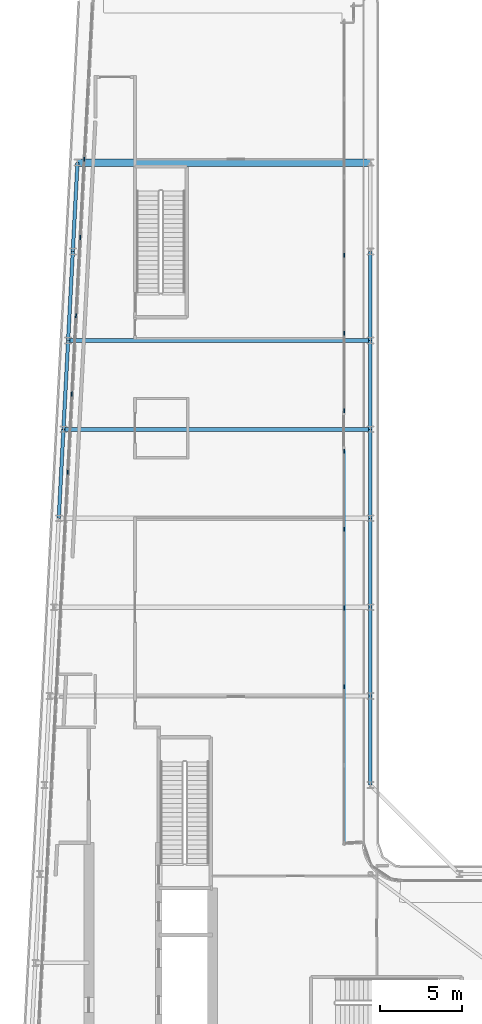
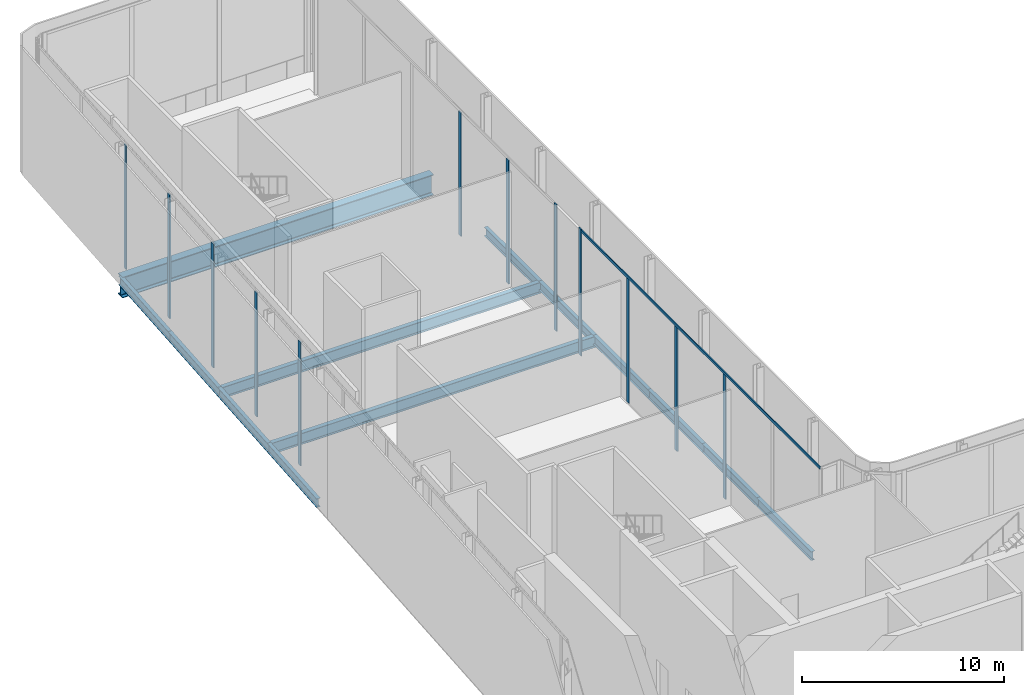
# One storey, part 11 of 27: 13 beams, 13 members, 3 elements without a shape of their own.
"""IFC4 building model written with IfcOpenShell, lengths in metres."""

from ifc_helpers import new_model, si_unit, direction, frame, origin, origin_2d, place, context, subcontext, project, spatial, rectangle, i_section, extrude, material, layer, layer_set, material_profile, profile_set, type_object, element, aggregate, save


model = new_model("IFC4")

# Units and contexts
model_context = context("Model", 3, precision=1e-05, world=origin(), true_north=direction((0.0, 1.0)))
body_context = subcontext(model_context, "Body", "Model", "MODEL_VIEW")
ifc_project = project(units=[si_unit("LENGTHUNIT", "METRE"), si_unit("AREAUNIT", "SQUARE_METRE"), si_unit("VOLUMEUNIT", "CUBIC_METRE"), si_unit("PLANEANGLEUNIT", "RADIAN"), si_unit("MASSUNIT", "GRAM", prefix="KILO")], contexts=[model_context])

# Site, building, storey
site_placement = place(None, origin())
site = spatial("IfcSite", under=ifc_project, at=site_placement, CompositionType="ELEMENT")
building_placement = place(site_placement, origin())
building = spatial("IfcBuilding", under=site, at=building_placement, Name="Kheshtan School and Residences Tower", CompositionType="ELEMENT")
storey_placement = place(building_placement, frame((0.0, 0.0, 266.89990234375)))
storey = spatial("IfcBuildingStorey", under=building, at=storey_placement, Name="L63", CompositionType="ELEMENT", Elevation=266.89990234375)

# Beams
ifc_material_1 = material(Name="Steel ASTM A992 Grade 50", Category="steel")
ifc_material_profile_1 = material_profile(ifc_material_1, i_section(OverallWidth=0.2529296875, OverallDepth=0.677978515625, WebThickness=0.01171875, FlangeThickness=0.016357421875, FilletRadius=0.0146484375, at=origin_2d()), Name="W690x125")
ifc_profile_set_1 = profile_set([ifc_material_profile_1], Name="Steel ASTM A992 Grade 50")
beam_type_1 = type_object("IfcBeamType", Name="Beam FB6 W690x125 ASTM A992 Grade 50", PredefinedType="BEAM", material=ifc_profile_set_1)
beam_1_placement = place(storey_placement, frame((47.60009765625, 78.0, -0.489013671875), z_axis=(-1.0, 0.0, 0.0), x_axis=(0.0, -1.0, 0.0)))
element("IfcBeam", 1, at=beam_1_placement, inside=storey, type_object=beam_type_1, Name="Floor beam C089", PredefinedType="BEAM", context=body_context, shape_type="SweptSolid", body=[
    extrude(i_section(OverallWidth=0.2529296875, OverallDepth=0.677978515625, WebThickness=0.01171875, FlangeThickness=0.016357421875, FilletRadius=0.0146484375, at=origin_2d()), origin(), (0.0, 0.0, 1.0), 18.357177734375),
])
beam_2_placement = place(storey_placement, frame((28.9580078125, 72.60009765625, -0.489013671875), z_axis=(1.0, 0.0, 0.0), x_axis=(0.0, 1.0, 0.0)))
element("IfcBeam", 2, at=beam_2_placement, inside=storey, type_object=beam_type_1, Name="Floor beam C086", PredefinedType="BEAM", context=body_context, shape_type="SweptSolid", body=[
    extrude(i_section(OverallWidth=0.2529296875, OverallDepth=0.677978515625, WebThickness=0.01171875, FlangeThickness=0.016357421875, FilletRadius=0.0146484375, at=origin_2d()), origin(), (0.0, 0.0, 1.0), 18.64208984375),
])
ifc_material_profile_2 = material_profile(ifc_material_1, i_section(OverallWidth=0.208984375, OverallDepth=0.532958984375, WebThickness=0.01025390625, FlangeThickness=0.015625, FilletRadius=0.013916015625, at=origin_2d()), Name="W530x92")
ifc_profile_set_2 = profile_set([ifc_material_profile_2], Name="Steel ASTM A992 Grade 50")
beam_type_2 = type_object("IfcBeamType", Name="Beam SP3 W530x92 ASTM A992 Grade 50", PredefinedType="BEAM", material=ifc_profile_set_2)
for number, where, z_axis, x_axis, name in (
    (3, (47.60009765625, 83.39990234375, -0.41650390625), (0.0, -1.0, 0.0), (1.0, 0.0, 0.0), "Spandrel beam C091-C089"),
    (4, (47.60009765625, 78.0, -0.41650390625), (0.0, -1.0, 0.0), (1.0, 0.0, 0.0), "Spandrel beam C089-C087"),
):
    element("IfcBeam", number, at=place(storey_placement, frame(where, z_axis=z_axis, x_axis=x_axis)), inside=storey, type_object=beam_type_2, Name=name, PredefinedType="BEAM", context=body_context, shape_type="SweptSolid", body=[
        extrude(i_section(OverallWidth=0.208984375, OverallDepth=0.532958984375, WebThickness=0.01025390625, FlangeThickness=0.015625, FilletRadius=0.013916015625, at=origin_2d()), origin(), (0.0, 0.0, 1.0), 5.39990234375),
    ])
beam_3_placement = place(storey_placement, frame((47.60009765625, 72.60009765625, -0.41650390625), z_axis=(0.0, -1.0, 0.0), x_axis=(1.0, 0.0, 0.0)))
element("IfcBeam", 5, at=beam_3_placement, inside=storey, type_object=beam_type_2, Name="Spandrel beam C087-C085", PredefinedType="BEAM", context=body_context, shape_type="SweptSolid", body=[
    extrude(i_section(OverallWidth=0.208984375, OverallDepth=0.532958984375, WebThickness=0.01025390625, FlangeThickness=0.015625, FilletRadius=0.013916015625, at=origin_2d()), origin(), (0.0, 0.0, 1.0), 5.400146484375),
])
beam_4_placement = place(storey_placement, frame((47.60009765625, 67.199951171875, -0.41650390625), z_axis=(0.0, -1.0, 0.0), x_axis=(1.0, 0.0, 0.0)))
element("IfcBeam", 6, at=beam_4_placement, inside=storey, type_object=beam_type_2, Name="Spandrel beam C085-C083", PredefinedType="BEAM", context=body_context, shape_type="SweptSolid", body=[
    extrude(i_section(OverallWidth=0.208984375, OverallDepth=0.532958984375, WebThickness=0.01025390625, FlangeThickness=0.015625, FilletRadius=0.013916015625, at=origin_2d()), origin(), (0.0, 0.0, 1.0), 5.39990234375),
])
beam_5_placement = place(storey_placement, frame((47.60009765625, 61.800048828125, -0.41650390625), z_axis=(0.0, -1.0, 0.0), x_axis=(1.0, 0.0, 0.0)))
element("IfcBeam", 7, at=beam_5_placement, inside=storey, type_object=beam_type_2, Name="Spandrel beam C083-C081", PredefinedType="BEAM", context=body_context, shape_type="SweptSolid", body=[
    extrude(i_section(OverallWidth=0.208984375, OverallDepth=0.532958984375, WebThickness=0.01025390625, FlangeThickness=0.015625, FilletRadius=0.013916015625, at=origin_2d()), origin(), (0.0, 0.0, 1.0), 5.400146484375),
])
beam_6_placement = place(storey_placement, frame((47.60009765625, 56.39990234375, -0.41650390625), z_axis=(0.0, -1.0, 0.0), x_axis=(1.0, 0.0, 0.0)))
element("IfcBeam", 8, at=beam_6_placement, inside=storey, type_object=beam_type_2, Name="Spandrel beam C081-C079", PredefinedType="BEAM", context=body_context, shape_type="SweptSolid", body=[
    extrude(i_section(OverallWidth=0.208984375, OverallDepth=0.532958984375, WebThickness=0.01025390625, FlangeThickness=0.015625, FilletRadius=0.013916015625, at=origin_2d()), origin(), (0.0, 0.0, 1.0), 5.39990234375),
])
beam_7_placement = place(storey_placement, frame((28.674072265625, 67.199951171875, -0.41650390625), z_axis=(0.05250670125, 0.998620571751, 0.0), x_axis=(-0.998620571751, 0.05250670125, 0.0)))
element("IfcBeam", 9, at=beam_7_placement, inside=storey, type_object=beam_type_2, Name="Spandrel beam C084-C086", PredefinedType="BEAM", context=body_context, shape_type="SweptSolid", body=[
    extrude(i_section(OverallWidth=0.208984375, OverallDepth=0.532958984375, WebThickness=0.01025390625, FlangeThickness=0.015625, FilletRadius=0.013916015625, at=origin_2d()), origin(), (0.0, 0.0, 1.0), 5.40771484375),
])
for number, where, z_axis, x_axis, name in (
    (10, (28.9580078125, 72.60009765625, -0.41650390625), (0.052689166816, 0.998610961136, 0.0), (-0.998610961136, 0.052689166816, 0.0), "Spandrel beam C086-C088"),
    (11, (29.242919921875, 78.0, -0.41650390625), (0.052554093665, 0.998618078766, 0.0), (-0.998618078766, 0.052554093665, 0.0), "Spandrel beam C088-C090"),
):
    element("IfcBeam", number, at=place(storey_placement, frame(where, z_axis=z_axis, x_axis=x_axis)), inside=storey, type_object=beam_type_2, Name=name, PredefinedType="BEAM", context=body_context, shape_type="SweptSolid", body=[
        extrude(i_section(OverallWidth=0.208984375, OverallDepth=0.532958984375, WebThickness=0.01025390625, FlangeThickness=0.015625, FilletRadius=0.013916015625, at=origin_2d()), origin(), (0.0, 0.0, 1.0), 5.407470703125),
    ])
beam_8_placement = place(storey_placement, frame((29.527099609375, 83.39990234375, -0.41650390625), z_axis=(0.05250670125, 0.998620571751, 0.0), x_axis=(-0.998620571751, 0.05250670125, 0.0)))
element("IfcBeam", 12, at=beam_8_placement, inside=storey, type_object=beam_type_2, Name="Spandrel beam C090-C098", PredefinedType="BEAM", context=body_context, shape_type="SweptSolid", body=[
    extrude(i_section(OverallWidth=0.208984375, OverallDepth=0.532958984375, WebThickness=0.01025390625, FlangeThickness=0.015625, FilletRadius=0.013916015625, at=origin_2d()), origin(), (0.0, 0.0, 1.0), 5.40771484375),
])

# Curtain wall, members
ifc_material_2 = material(Name="Clear low-e glass in thermally broken aluminium frame", Category="aluminium")
ifc_layer_1 = layer(ifc_material_2, 0.25)
ifc_layer_set_1 = layer_set([ifc_layer_1], Name="Curtain wall CW-G")
curtain_wall_type_1 = type_object("IfcCurtainWallType", Name="Curtain wall CW-G", PredefinedType="NOTDEFINED", material=ifc_layer_set_1)
curtain_wall_1_placement = place(storey_placement, origin())
curtain_wall_1 = element("IfcCurtainWall", 13, at=curtain_wall_1_placement, inside=storey, type_object=curtain_wall_type_1, Name="Curtain wall CWG19b", PredefinedType="NOTDEFINED")
ifc_material_3 = material(Name="Thermally broken aluminium, dark bronze anodised", Category="aluminium")
ifc_material_profile_3 = material_profile(ifc_material_3, rectangle(XDim=0.06005859375, YDim=0.25, at=origin_2d()), Name="CW-G mullion 60x250")
ifc_profile_set_3 = profile_set([ifc_material_profile_3], Name="Thermally broken aluminium, dark bronze anodised")
member_type_1 = type_object("IfcMemberType", Name="CW-G mullion 60x250", PredefinedType="MULLION", material=ifc_profile_set_3)
member_1_placement = place(storey_placement, frame((46.0, 83.179931640625, 0.0), z_axis=(0.0, 0.0, 1.0), x_axis=(1.0, 0.0, 0.0)))
member_1 = element("IfcMember", 14, at=member_1_placement, type_object=member_type_1, Name="CWG19b mullion 4", PredefinedType="MULLION", context=body_context, shape_type="SweptSolid", body=[
    extrude(rectangle(XDim=0.06005859375, YDim=0.25, at=origin_2d()), origin(), (0.0, 0.0, 1.0), 7.489990234375),
])
member_2_placement = place(storey_placement, frame((46.0, 78.43994140625, 0.0), z_axis=(0.0, 0.0, 1.0), x_axis=(1.0, 0.0, 0.0)))
member_2 = element("IfcMember", 15, at=member_2_placement, type_object=member_type_1, Name="CWG19b mullion 5", PredefinedType="MULLION", context=body_context, shape_type="SweptSolid", body=[
    extrude(rectangle(XDim=0.06005859375, YDim=0.25, at=origin_2d()), origin(), (0.0, 0.0, 1.0), 7.489990234375),
])
member_3_placement = place(storey_placement, frame((46.0, 73.72998046875, 0.0), z_axis=(0.0, 0.0, 1.0), x_axis=(1.0, 0.0, 0.0)))
member_3 = element("IfcMember", 16, at=member_3_placement, type_object=member_type_1, Name="CWG19b mullion 6", PredefinedType="MULLION", context=body_context, shape_type="SweptSolid", body=[
    extrude(rectangle(XDim=0.06005859375, YDim=0.25, at=origin_2d()), origin(), (0.0, 0.0, 1.0), 7.650146484375),
])
aggregate(curtain_wall_1, [member_1, member_2, member_3])

curtain_wall_2_placement = place(storey_placement, origin())
curtain_wall_2 = element("IfcCurtainWall", 17, at=curtain_wall_2_placement, inside=storey, type_object=curtain_wall_type_1, Name="Curtain wall CWG19c", PredefinedType="NOTDEFINED")
member_4_placement = place(storey_placement, frame((46.0, 71.27001953125, 0.0), z_axis=(0.0, 0.0, 1.0), x_axis=(1.0, 0.0, 0.0)))
member_4 = element("IfcMember", 18, at=member_4_placement, type_object=member_type_1, Name="CWG19c mullion 1", PredefinedType="MULLION", context=body_context, shape_type="SweptSolid", body=[
    extrude(rectangle(XDim=0.06005859375, YDim=0.25, at=origin_2d()), origin(), (0.0, 0.0, 1.0), 7.650146484375),
])
member_5_placement = place(storey_placement, frame((46.0, 66.52587890625, 0.0), z_axis=(0.0, 0.0, 1.0), x_axis=(1.0, 0.0, 0.0)))
member_5 = element("IfcMember", 19, at=member_5_placement, type_object=member_type_1, Name="CWG19c mullion 2", PredefinedType="MULLION", context=body_context, shape_type="SweptSolid", body=[
    extrude(rectangle(XDim=0.06005859375, YDim=0.25, at=origin_2d()), origin(), (0.0, 0.0, 1.0), 7.489990234375),
])
member_6_placement = place(storey_placement, frame((46.0, 61.751953125, 0.0), z_axis=(0.0, 0.0, 1.0), x_axis=(1.0, 0.0, 0.0)))
member_6 = element("IfcMember", 20, at=member_6_placement, type_object=member_type_1, Name="CWG19c mullion 3", PredefinedType="MULLION", context=body_context, shape_type="SweptSolid", body=[
    extrude(rectangle(XDim=0.06005859375, YDim=0.25, at=origin_2d()), origin(), (0.0, 0.0, 1.0), 7.489990234375),
])
member_7_placement = place(storey_placement, frame((46.0, 56.97802734375, 0.0), z_axis=(0.0, 0.0, 1.0), x_axis=(1.0, 0.0, 0.0)))
member_7 = element("IfcMember", 21, at=member_7_placement, type_object=member_type_1, Name="CWG19c mullion 4", PredefinedType="MULLION", context=body_context, shape_type="SweptSolid", body=[
    extrude(rectangle(XDim=0.06005859375, YDim=0.25, at=origin_2d()), origin(), (0.0, 0.0, 1.0), 7.489990234375),
])
ifc_material_profile_4 = material_profile(ifc_material_3, rectangle(XDim=0.06005859375, YDim=0.159912109375, at=origin_2d()), Name="CW-G transom 60x160")
ifc_profile_set_4 = profile_set([ifc_material_profile_4], Name="Thermally broken aluminium, dark bronze anodised")
member_type_2 = type_object("IfcMemberType", Name="CW-G transom 60x160", PredefinedType="USERDEFINED", material=ifc_profile_set_4)
member_8_placement = place(storey_placement, frame((46.0, 71.239990234375, 7.570068359375), z_axis=(0.0, -1.0, 0.0), x_axis=(1.0, 0.0, 0.0)))
member_8 = element("IfcMember", 22, at=member_8_placement, type_object=member_type_2, Name="CWG19c transom 1", ObjectType="TRANSOM", PredefinedType="USERDEFINED", context=body_context, shape_type="SweptSolid", body=[
    extrude(rectangle(XDim=0.06005859375, YDim=0.159912109375, at=origin_2d()), origin(), (0.0, 0.0, 1.0), 23.75),
])
aggregate(curtain_wall_2, [member_4, member_5, member_6, member_7, member_8])

ifc_layer_2 = layer(ifc_material_2, 0.25)
ifc_layer_set_2 = layer_set([ifc_layer_2], Name="Curtain wall CW-K")
curtain_wall_type_2 = type_object("IfcCurtainWallType", Name="Curtain wall CW-K", PredefinedType="NOTDEFINED", material=ifc_layer_set_2)
curtain_wall_3_placement = place(storey_placement, origin())
curtain_wall_3 = element("IfcCurtainWall", 23, at=curtain_wall_3_placement, inside=storey, type_object=curtain_wall_type_2, Name="Curtain wall CWK10a", PredefinedType="NOTDEFINED")
ifc_material_profile_5 = material_profile(ifc_material_3, rectangle(XDim=0.06005859375, YDim=0.25, at=origin_2d()), Name="CW-K mullion 60x250")
ifc_profile_set_5 = profile_set([ifc_material_profile_5], Name="Thermally broken aluminium, dark bronze anodised")
member_type_3 = type_object("IfcMemberType", Name="CW-K mullion 60x250", PredefinedType="MULLION", material=ifc_profile_set_5)
member_9_placement = place(storey_placement, frame((29.22119140625, 69.993408203125, 0.0), z_axis=(0.0, 0.0, 1.0), x_axis=(-0.998617497599, 0.05256513568, 0.0)))
member_9 = element("IfcMember", 24, at=member_9_placement, type_object=member_type_3, Name="CWK10a mullion 9", PredefinedType="MULLION", context=body_context, shape_type="SweptSolid", body=[
    extrude(rectangle(XDim=0.06005859375, YDim=0.25, at=origin_2d()), origin(), (0.0, 0.0, 1.0), 7.489990234375),
])
member_10_placement = place(storey_placement, frame((29.471435546875, 74.74560546875, 0.0), z_axis=(0.0, 0.0, 1.0), x_axis=(-0.998617497599, 0.05256513568, 0.0)))
member_10 = element("IfcMember", 25, at=member_10_placement, type_object=member_type_3, Name="CWK10a mullion 10", PredefinedType="MULLION", context=body_context, shape_type="SweptSolid", body=[
    extrude(rectangle(XDim=0.06005859375, YDim=0.25, at=origin_2d()), origin(), (0.0, 0.0, 1.0), 7.489990234375),
])
member_11_placement = place(storey_placement, frame((29.7216796875, 79.497802734375, 0.0), z_axis=(0.0, 0.0, 1.0), x_axis=(-0.998617497599, 0.05256513568, 0.0)))
member_11 = element("IfcMember", 26, at=member_11_placement, type_object=member_type_3, Name="CWK10a mullion 11", PredefinedType="MULLION", context=body_context, shape_type="SweptSolid", body=[
    extrude(rectangle(XDim=0.06005859375, YDim=0.25, at=origin_2d()), origin(), (0.0, 0.0, 1.0), 7.489990234375),
])
member_12_placement = place(storey_placement, frame((29.9716796875, 84.249755859375, 0.0), z_axis=(0.0, 0.0, 1.0), x_axis=(-0.998617497599, 0.05256513568, 0.0)))
member_12 = element("IfcMember", 27, at=member_12_placement, type_object=member_type_3, Name="CWK10a mullion 12", PredefinedType="MULLION", context=body_context, shape_type="SweptSolid", body=[
    extrude(rectangle(XDim=0.06005859375, YDim=0.25, at=origin_2d()), origin(), (0.0, 0.0, 1.0), 7.489990234375),
])
member_13_placement = place(storey_placement, frame((30.221923828125, 89.001953125, 0.0), z_axis=(0.0, 0.0, 1.0), x_axis=(-0.998617497599, 0.05256513568, 0.0)))
member_13 = element("IfcMember", 28, at=member_13_placement, type_object=member_type_3, Name="CWK10a mullion 13", PredefinedType="MULLION", context=body_context, shape_type="SweptSolid", body=[
    extrude(rectangle(XDim=0.06005859375, YDim=0.25, at=origin_2d()), origin(), (0.0, 0.0, 1.0), 7.489990234375),
])
aggregate(curtain_wall_3, [member_9, member_10, member_11, member_12, member_13])

# Beam
ifc_material_profile_6 = material_profile(ifc_material_1, i_section(OverallWidth=0.449951171875, OverallDepth=1.25, WebThickness=0.02490234375, FlangeThickness=0.044921875, FilletRadius=0.03759765625, at=origin_2d()), Name="WWF1250x546")
ifc_profile_set_6 = profile_set([ifc_material_profile_6], Name="Steel ASTM A992 Grade 50")
beam_type_3 = type_object("IfcBeamType", Name="Transfer girder TG4 WWF1250x546 ASTM A992 Grade 50", PredefinedType="BEAM", material=ifc_profile_set_6)
beam_9_placement = place(storey_placement, frame((29.81103515625, 88.800048828125, -0.77490234375), z_axis=(1.0, 0.0, 0.0), x_axis=(0.0, 1.0, 0.0)))
element("IfcBeam", 29, at=beam_9_placement, inside=storey, type_object=beam_type_3, Name="Transfer girder C098-C099", PredefinedType="BEAM", context=body_context, shape_type="SweptSolid", body=[
    extrude(i_section(OverallWidth=0.449951171875, OverallDepth=1.25, WebThickness=0.02490234375, FlangeThickness=0.044921875, FilletRadius=0.03759765625, at=origin_2d()), origin(), (0.0, 0.0, 1.0), 17.7890625),
])

save(model, "model.ifc")
